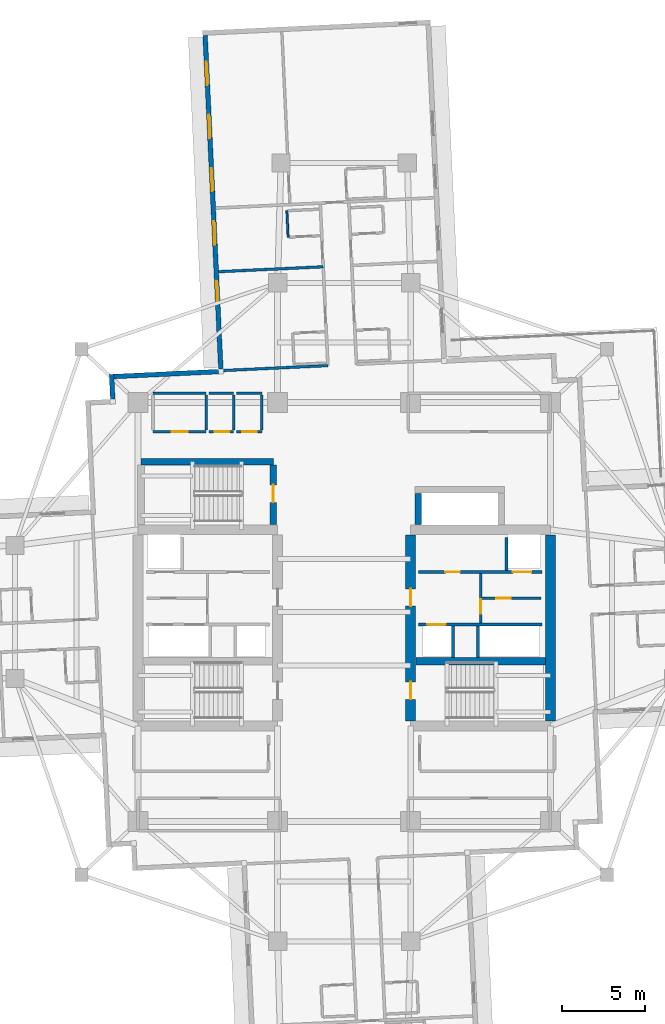
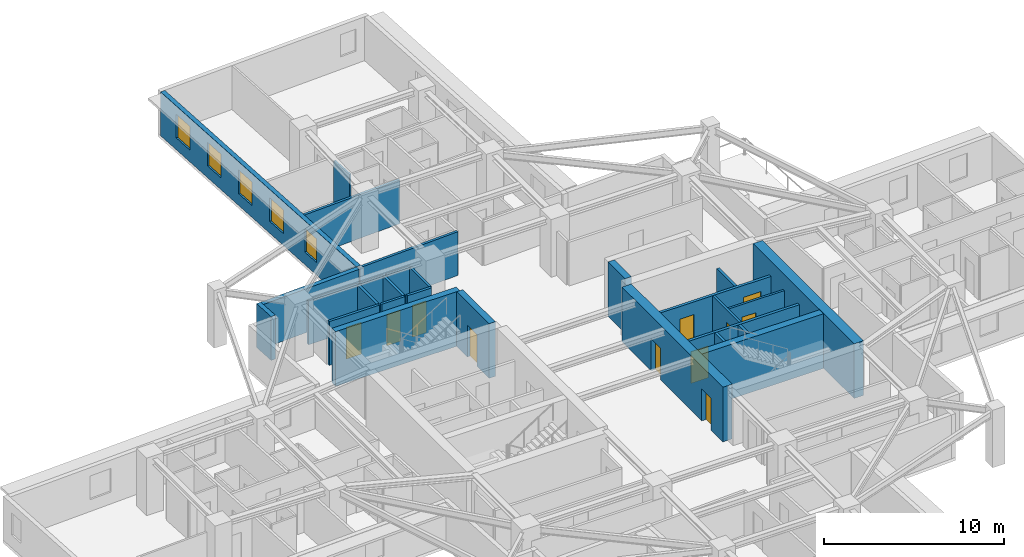
# One storey, part 6 of 14: 28 walls, 11 doors, 5 windows, 16 openings.
"""IFC4 building model written with IfcOpenShell, lengths in metres."""

from ifc_helpers import new_model, si_unit, direction, frame, frame_2d, origin, place, context, subcontext, project, spatial, rectangle, extrude, material, layer, layer_set, type_object, element, fill, save


model = new_model("IFC4")

# Units and contexts
model_context = context("Model", 3, precision=1e-05, world=origin(), true_north=direction((0.0, 1.0)))
body_context = subcontext(model_context, "Body", "Model", "MODEL_VIEW")
ifc_project = project(units=[si_unit("LENGTHUNIT", "METRE"), si_unit("AREAUNIT", "SQUARE_METRE"), si_unit("VOLUMEUNIT", "CUBIC_METRE"), si_unit("PLANEANGLEUNIT", "RADIAN"), si_unit("MASSUNIT", "GRAM", prefix="KILO")], contexts=[model_context])

# Site, building, storey
site_placement = place(None, origin())
site = spatial("IfcSite", under=ifc_project, at=site_placement, CompositionType="ELEMENT")
building_placement = place(site_placement, origin())
building = spatial("IfcBuilding", under=site, at=building_placement, Name="Qingluan Cross Belvedere", CompositionType="ELEMENT")
storey_placement = place(building_placement, frame((0.0, 0.0, 132.0)))
storey = spatial("IfcBuildingStorey", under=building, at=storey_placement, Name="L33", CompositionType="ELEMENT", Elevation=132.0)

# Walls
ifc_material_1 = material(Name="Concrete C50", Category="concrete")
ifc_layer_1 = layer(ifc_material_1, 0.449951171875, Name="CoreShearWall_450")
ifc_layer_set_1 = layer_set([ifc_layer_1], Name="Concrete C50")
wall_type_1 = type_object("IfcWallType", Name="CoreShearWall_450", PredefinedType="SHEAR", material=ifc_layer_set_1)
wall_1_placement = place(storey_placement, frame((4.304931640625, -2.9599609375, 0.0), z_axis=(0.0, 0.0, 1.0), x_axis=(1.0, 0.0, 0.0)))
element("IfcWall", 1, at=wall_1_placement, inside=storey, type_object=wall_type_1, Name="Split core E shear wall L33-M", PredefinedType="SHEAR", context=body_context, shape_type="SweptSolid", body=[
    extrude(rectangle(XDim=7.7900390625, YDim=0.449951171875, at=frame_2d((3.89501953125, 0.0))), origin(), (0.0, 0.0, 1.0), 3.699951171875),
])
wall_2_placement = place(storey_placement, frame((-12.219970703125, 9.0400390625, 0.0), z_axis=(0.0, 0.0, 1.0), x_axis=(1.0, 0.0, 0.0)))
element("IfcWall", 2, at=wall_2_placement, inside=storey, type_object=wall_type_1, Name="Stair ST3 structural wall N L33", PredefinedType="SHEAR", context=body_context, shape_type="SweptSolid", body=[
    extrude(rectangle(XDim=7.9599609375, YDim=0.39990234375, at=frame_2d((3.97998046875, 0.0))), origin(), (0.0, 0.0, 1.0), 3.699951171875),
])

# Wall, opening, door
wall_3_placement = place(storey_placement, frame((-4.260009765625, 5.2548828125, 0.0), z_axis=(0.0, 0.0, 1.0), x_axis=(0.0, 1.0, 0.0)))
wall_3 = element("IfcWall", 3, at=wall_3_placement, inside=storey, type_object=wall_type_1, Name="Stair ST3 structural wall E L33", PredefinedType="SHEAR", context=body_context, shape_type="SweptSolid", body=[
    extrude(rectangle(XDim=3.580078125, YDim=0.39990234375, at=frame_2d((1.7900390625, 0.0))), origin(), (0.0, 0.0, 1.0), 3.699951171875),
])
opening_1_placement = place(wall_3_placement, frame((1.344970703125, 0.0, 0.0)))
opening_1 = element("IfcOpeningElement", 4, at=opening_1_placement, cuts=wall_3, Name="Opening FD-B11", PredefinedType="OPENING", context=body_context, shape_type="SweptSolid", body=[
    extrude(rectangle(XDim=1.050048828125, YDim=2.14990234375, at=frame_2d((0.52490234375, 1.074951171875))), frame((0.0, 0.2099609375, 0.0), z_axis=(0.0, -1.0, 0.0), x_axis=(1.0, 0.0, 0.0)), (0.0, 0.0, 1.0), 0.419921875),
])
ifc_material_2 = material(Name="Steel Class B smoke-seal fire door", Category="steel")
door_type_1 = type_object("IfcDoorType", Name="StairLobbyFireDoor_FDB", OperationType="NOTDEFINED", PredefinedType="DOOR", material=ifc_material_2)
door_1_placement = place(opening_1_placement, origin())
door_1 = element("IfcDoor", 5, at=door_1_placement, inside=storey, type_object=door_type_1, Name="Smoke-proof stair ST3 fire door L33", OperationType="SINGLE_SWING_LEFT", OverallHeight=2.14990234375, OverallWidth=1.050048828125, PredefinedType="DOOR", context=body_context, shape_type="SweptSolid", body=[
    extrude(rectangle(XDim=1.050048828125, YDim=2.14990234375, at=frame_2d((0.52490234375, 1.074951171875))), frame((0.0, 0.02490234375, 0.0), z_axis=(0.0, -1.0, 0.0), x_axis=(1.0, 0.0, 0.0)), (0.0, 0.0, 1.0), 0.050048828125),
])
fill(opening_1, door_1)

# Wall
wall_4_placement = place(storey_placement, frame((4.449951171875, 5.2548828125, 0.0), z_axis=(0.0, 0.0, 1.0), x_axis=(0.0, 1.0, 0.0)))
element("IfcWall", 6, at=wall_4_placement, inside=storey, type_object=wall_type_1, Name="Express shuttle core wall L33-W", PredefinedType="SHEAR", context=body_context, shape_type="SweptSolid", body=[
    extrude(rectangle(XDim=1.885009765625, YDim=0.39990234375, at=frame_2d((0.9423828125, 0.0))), origin(), (0.0, 0.0, 1.0), 3.699951171875),
])

# Wall, openings, doors
ifc_material_3 = material(Name="Concrete C60", Category="concrete")
ifc_layer_2 = layer(ifc_material_3, 0.60009765625, Name="CoreShearWall_600")
ifc_layer_set_2 = layer_set([ifc_layer_2], Name="Concrete C60")
wall_type_2 = type_object("IfcWallType", Name="CoreShearWall_600", PredefinedType="SHEAR", material=ifc_layer_set_2)
wall_5_placement = place(storey_placement, frame((4.0, -6.544921875, 0.0), z_axis=(0.0, 0.0, 1.0), x_axis=(0.0, 1.0, 0.0)))
wall_5 = element("IfcWall", 7, at=wall_5_placement, inside=storey, type_object=wall_type_2, Name="Split core E shear wall L33-W", PredefinedType="SHEAR", context=body_context, shape_type="SweptSolid", body=[
    extrude(rectangle(XDim=11.18994140625, YDim=0.60009765625, at=frame_2d((5.594970703125, 0.0))), origin(), (0.0, 0.0, 1.0), 3.699951171875),
])
opening_2_placement = place(wall_5_placement, frame((1.294921875, 0.0, 0.0)))
opening_2 = element("IfcOpeningElement", 8, at=opening_2_placement, cuts=wall_5, Name="Opening FD-B11", PredefinedType="OPENING", context=body_context, shape_type="SweptSolid", body=[
    extrude(rectangle(XDim=1.050048828125, YDim=2.14990234375, at=frame_2d((0.52490234375, 1.074951171875))), frame((0.0, 0.31005859375, 0.0), z_axis=(0.0, -1.0, 0.0), x_axis=(1.0, 0.0, 0.0)), (0.0, 0.0, 1.0), 0.6201171875),
])
opening_3_placement = place(wall_5_placement, frame((6.89501953125, 0.0, 0.0)))
opening_3 = element("IfcOpeningElement", 9, at=opening_3_placement, cuts=wall_5, Name="Opening FD-B11", PredefinedType="OPENING", context=body_context, shape_type="SweptSolid", body=[
    extrude(rectangle(XDim=1.050048828125, YDim=2.14990234375, at=frame_2d((0.52490234375, 1.074951171875))), frame((0.0, 0.31005859375, 0.0), z_axis=(0.0, -1.0, 0.0), x_axis=(1.0, 0.0, 0.0)), (0.0, 0.0, 1.0), 0.6201171875),
])
door_2_placement = place(opening_2_placement, origin())
door_2 = element("IfcDoor", 10, at=door_2_placement, inside=storey, type_object=door_type_1, Name="Smoke-proof stair ST2 fire door L33", OperationType="SINGLE_SWING_RIGHT", OverallHeight=2.14990234375, OverallWidth=1.050048828125, PredefinedType="DOOR", context=body_context, shape_type="SweptSolid", body=[
    extrude(rectangle(XDim=1.050048828125, YDim=2.14990234375, at=frame_2d((0.52490234375, 1.074951171875))), frame((0.0, 0.02490234375, 0.0), z_axis=(0.0, -1.0, 0.0), x_axis=(1.0, 0.0, 0.0)), (0.0, 0.0, 1.0), 0.050048828125),
])
fill(opening_2, door_2)
door_3_placement = place(opening_3_placement, origin())
door_3 = element("IfcDoor", 11, at=door_3_placement, inside=storey, type_object=door_type_1, Name="Firefighting lobby East fire door L33", OperationType="SINGLE_SWING_RIGHT", OverallHeight=2.14990234375, OverallWidth=1.050048828125, PredefinedType="DOOR", context=body_context, shape_type="SweptSolid", body=[
    extrude(rectangle(XDim=1.050048828125, YDim=2.14990234375, at=frame_2d((0.52490234375, 1.074951171875))), frame((0.0, 0.02490234375, 0.0), z_axis=(0.0, -1.0, 0.0), x_axis=(1.0, 0.0, 0.0)), (0.0, 0.0, 1.0), 0.050048828125),
])
fill(opening_3, door_3)

# Wall
wall_6_placement = place(storey_placement, frame((12.39990234375, -6.544921875, 0.0), z_axis=(0.0, 0.0, 1.0), x_axis=(0.0, 1.0, 0.0)))
element("IfcWall", 12, at=wall_6_placement, inside=storey, type_object=wall_type_2, Name="Split core E shear wall L33-E", PredefinedType="SHEAR", context=body_context, shape_type="SweptSolid", body=[
    extrude(rectangle(XDim=11.18994140625, YDim=0.60009765625, at=frame_2d((5.594970703125, 0.0))), origin(), (0.0, 0.0, 1.0), 3.699951171875),
])

# Wall, opening, door
ifc_material_4 = material(Name="Gypsum plasterboard on steel stud acoustic partition", Category="steel")
ifc_layer_3 = layer(ifc_material_4, 0.159912109375, Name="CorridorPartition_160")
ifc_layer_set_3 = layer_set([ifc_layer_3], Name="Gypsum plasterboard on steel stud acoustic partition")
wall_type_3 = type_object("IfcWallType", Name="CorridorPartition_160", PredefinedType="PARTITIONING", material=ifc_layer_set_3)
wall_7_placement = place(storey_placement, frame((8.298095703125, 0.830078125, 0.0), z_axis=(0.0, 0.0, 1.0), x_axis=(1.0, 0.0, 0.0)))
wall_7 = element("IfcWall", 13, at=wall_7_placement, inside=storey, type_object=wall_type_3, Name="Partition L33:e", PredefinedType="PARTITIONING", context=body_context, shape_type="SweptSolid", body=[
    extrude(rectangle(XDim=3.552001953125, YDim=0.139892578125, at=frame_2d((1.77587890625, 0.0))), origin(), (0.0, 0.0, 1.0), 2.9599609375),
])
opening_4_placement = place(wall_7_placement, frame((0.85009765625, 0.0, 0.0)))
opening_4 = element("IfcOpeningElement", 14, at=opening_4_placement, cuts=wall_7, Name="Opening FD-B10", PredefinedType="OPENING", context=body_context, shape_type="SweptSolid", body=[
    extrude(rectangle(XDim=0.8798828125, YDim=2.10009765625, at=frame_2d((0.43994140625, 1.050048828125))), frame((0.0, 0.079833984375, 0.0), z_axis=(0.0, -1.0, 0.0), x_axis=(1.0, 0.0, 0.0)), (0.0, 0.0, 1.0), 0.159912109375),
])
ifc_material_5 = material(Name="Steel Class B service fire door", Category="steel")
door_type_2 = type_object("IfcDoorType", Name="RiserServiceFireDoor_FDB", OperationType="NOTDEFINED", PredefinedType="DOOR", material=ifc_material_5)
door_4_placement = place(opening_4_placement, origin())
door_4 = element("IfcDoor", 15, at=door_4_placement, inside=storey, type_object=door_type_2, Name="Service closet inner door L33", OperationType="SINGLE_SWING_LEFT", OverallHeight=2.10009765625, OverallWidth=0.8798828125, PredefinedType="DOOR", context=body_context, shape_type="SweptSolid", body=[
    extrude(rectangle(XDim=0.8798828125, YDim=2.10009765625, at=frame_2d((0.43994140625, 1.050048828125))), frame((0.0, 0.02490234375, 0.0), z_axis=(0.0, -1.0, 0.0), x_axis=(1.0, 0.0, 0.0)), (0.0, 0.0, 1.0), 0.050048828125),
])
fill(opening_4, door_4)

wall_8_placement = place(storey_placement, frame((-11.5, 10.85009765625, 0.0), z_axis=(0.0, 0.0, 1.0), x_axis=(1.0, 0.0, 0.0)))
wall_8 = element("IfcWall", 16, at=wall_8_placement, inside=storey, type_object=wall_type_3, Name="Partition L33:q_nw_occ:S", PredefinedType="PARTITIONING", context=body_context, shape_type="SweptSolid", body=[
    extrude(rectangle(XDim=3.199951171875, YDim=0.159912109375, at=frame_2d((1.60009765625, 0.0))), origin(), (0.0, 0.0, 1.0), 2.9599609375),
])
opening_5_placement = place(wall_8_placement, frame((1.1201171875, 0.0, 0.0)))
opening_5 = element("IfcOpeningElement", 17, at=opening_5_placement, cuts=wall_8, Name="Opening GD-10", PredefinedType="OPENING", context=body_context, shape_type="SweptSolid", body=[
    extrude(rectangle(XDim=0.9599609375, YDim=2.14990234375, at=frame_2d((0.47998046875, 1.074951171875))), frame((0.0, 0.08984375, 0.0), z_axis=(0.0, -1.0, 0.0), x_axis=(1.0, 0.0, 0.0)), (0.0, 0.0, 1.0), 0.179931640625),
])
ifc_material_6 = material(Name="Timber oak fire-rated acoustic guestroom door", Category="wood")
door_type_3 = type_object("IfcDoorType", Name="GuestEntryDoor_FD60", OperationType="NOTDEFINED", PredefinedType="DOOR", material=ifc_material_6)
door_5_placement = place(opening_5_placement, origin())
door_5 = element("IfcDoor", 18, at=door_5_placement, inside=storey, type_object=door_type_3, Name="Northwest corner reading salon L33 door", OperationType="SINGLE_SWING_RIGHT", OverallHeight=2.14990234375, OverallWidth=0.9599609375, PredefinedType="DOOR", context=body_context, shape_type="SweptSolid", body=[
    extrude(rectangle(XDim=0.9599609375, YDim=2.14990234375, at=frame_2d((0.47998046875, 1.074951171875))), frame((0.0, 0.02490234375, 0.0), z_axis=(0.0, -1.0, 0.0), x_axis=(1.0, 0.0, 0.0)), (0.0, 0.0, 1.0), 0.050048828125),
])
fill(opening_5, door_5)

# Walls
wall_9_placement = place(storey_placement, frame((-11.5, 13.14990234375, 0.0), z_axis=(0.0, 0.0, 1.0), x_axis=(1.0, 0.0, 0.0)))
element("IfcWall", 19, at=wall_9_placement, inside=storey, type_object=wall_type_3, Name="Partition L33:q_nw_occ:N", PredefinedType="PARTITIONING", context=body_context, shape_type="SweptSolid", body=[
    extrude(rectangle(XDim=3.199951171875, YDim=0.159912109375, at=frame_2d((1.60009765625, 0.0))), origin(), (0.0, 0.0, 1.0), 2.9599609375),
])
wall_10_placement = place(storey_placement, frame((-8.300048828125, 10.93505859375, 0.0), z_axis=(0.0, 0.0, 1.0), x_axis=(0.0, 1.0, 0.0)))
element("IfcWall", 20, at=wall_10_placement, inside=storey, type_object=wall_type_3, Name="Partition L33:q_nw_occ:E", PredefinedType="PARTITIONING", context=body_context, shape_type="SweptSolid", body=[
    extrude(rectangle(XDim=2.1298828125, YDim=0.159912109375, at=frame_2d((1.06494140625, 0.0))), origin(), (0.0, 0.0, 1.0), 2.9599609375),
])

# Wall, opening, door
wall_11_placement = place(storey_placement, frame((-8.139892578125, 10.85009765625, 0.0), z_axis=(0.0, 0.0, 1.0), x_axis=(1.0, 0.0, 0.0)))
wall_11 = element("IfcWall", 21, at=wall_11_placement, inside=storey, type_object=wall_type_3, Name="Partition L33:hk_linen:S", PredefinedType="PARTITIONING", context=body_context, shape_type="SweptSolid", body=[
    extrude(rectangle(XDim=1.489990234375, YDim=0.159912109375, at=frame_2d((0.7451171875, 0.0))), origin(), (0.0, 0.0, 1.0), 2.9599609375),
])
opening_6_placement = place(wall_11_placement, frame((0.35009765625, 0.0, 0.0)))
opening_6 = element("IfcOpeningElement", 22, at=opening_6_placement, cuts=wall_11, Name="Opening FD-B10", PredefinedType="OPENING", context=body_context, shape_type="SweptSolid", body=[
    extrude(rectangle(XDim=0.8798828125, YDim=2.10009765625, at=frame_2d((0.43994140625, 1.050048828125))), frame((0.0, 0.08984375, 0.0), z_axis=(0.0, -1.0, 0.0), x_axis=(1.0, 0.0, 0.0)), (0.0, 0.0, 1.0), 0.179931640625),
])
door_6_placement = place(opening_6_placement, origin())
door_6 = element("IfcDoor", 23, at=door_6_placement, inside=storey, type_object=door_type_2, Name="Housekeeping and linen store L33 door", OperationType="SINGLE_SWING_LEFT", OverallHeight=2.10009765625, OverallWidth=0.8798828125, PredefinedType="DOOR", context=body_context, shape_type="SweptSolid", body=[
    extrude(rectangle(XDim=0.8798828125, YDim=2.10009765625, at=frame_2d((0.43994140625, 1.050048828125))), frame((0.0, 0.02490234375, 0.0), z_axis=(0.0, -1.0, 0.0), x_axis=(1.0, 0.0, 0.0)), (0.0, 0.0, 1.0), 0.050048828125),
])
fill(opening_6, door_6)

# Walls
wall_12_placement = place(storey_placement, frame((-8.139892578125, 13.14990234375, 0.0), z_axis=(0.0, 0.0, 1.0), x_axis=(1.0, 0.0, 0.0)))
element("IfcWall", 24, at=wall_12_placement, inside=storey, type_object=wall_type_3, Name="Partition L33:hk_linen:N", PredefinedType="PARTITIONING", context=body_context, shape_type="SweptSolid", body=[
    extrude(rectangle(XDim=1.489990234375, YDim=0.159912109375, at=frame_2d((0.7451171875, 0.0))), origin(), (0.0, 0.0, 1.0), 2.9599609375),
])
wall_13_placement = place(storey_placement, frame((-6.64990234375, 10.93505859375, 0.0), z_axis=(0.0, 0.0, 1.0), x_axis=(0.0, 1.0, 0.0)))
element("IfcWall", 25, at=wall_13_placement, inside=storey, type_object=wall_type_3, Name="Partition L33:hk_linen:E", PredefinedType="PARTITIONING", context=body_context, shape_type="SweptSolid", body=[
    extrude(rectangle(XDim=2.1298828125, YDim=0.159912109375, at=frame_2d((1.06494140625, 0.0))), origin(), (0.0, 0.0, 1.0), 2.9599609375),
])

# Wall, opening, door
wall_14_placement = place(storey_placement, frame((-6.489990234375, 10.85009765625, 0.0), z_axis=(0.0, 0.0, 1.0), x_axis=(1.0, 0.0, 0.0)))
wall_14 = element("IfcWall", 26, at=wall_14_placement, inside=storey, type_object=wall_type_3, Name="Partition L33:floor_acc_wc:S", PredefinedType="PARTITIONING", context=body_context, shape_type="SweptSolid", body=[
    extrude(rectangle(XDim=1.5400390625, YDim=0.159912109375, at=frame_2d((0.77001953125, 0.0))), origin(), (0.0, 0.0, 1.0), 2.9599609375),
])
opening_7_placement = place(wall_14_placement, frame((0.35009765625, 0.0, 0.0)))
opening_7 = element("IfcOpeningElement", 27, at=opening_7_placement, cuts=wall_14, Name="Opening BD-08", PredefinedType="OPENING", context=body_context, shape_type="SweptSolid", body=[
    extrude(rectangle(XDim=0.8798828125, YDim=2.14990234375, at=frame_2d((0.43994140625, 1.074951171875))), frame((0.0, 0.08984375, 0.0), z_axis=(0.0, -1.0, 0.0), x_axis=(1.0, 0.0, 0.0)), (0.0, 0.0, 1.0), 0.179931640625),
])
ifc_material_7 = material(Name="Moisture-sealed timber accessible WC door", Category="wood")
door_type_4 = type_object("IfcDoorType", Name="AccessibleWCDoor_880", OperationType="NOTDEFINED", PredefinedType="DOOR", material=ifc_material_7)
door_7_placement = place(opening_7_placement, origin())
door_7 = element("IfcDoor", 28, at=door_7_placement, inside=storey, type_object=door_type_4, Name="Accessible guest washroom L33 door", OperationType="SINGLE_SWING_RIGHT", OverallHeight=2.14990234375, OverallWidth=0.8798828125, PredefinedType="DOOR", context=body_context, shape_type="SweptSolid", body=[
    extrude(rectangle(XDim=0.8798828125, YDim=2.14990234375, at=frame_2d((0.43994140625, 1.074951171875))), frame((0.0, 0.02490234375, 0.0), z_axis=(0.0, -1.0, 0.0), x_axis=(1.0, 0.0, 0.0)), (0.0, 0.0, 1.0), 0.050048828125),
])
fill(opening_7, door_7)

# Walls
wall_15_placement = place(storey_placement, frame((-6.489990234375, 13.14990234375, 0.0), z_axis=(0.0, 0.0, 1.0), x_axis=(1.0, 0.0, 0.0)))
element("IfcWall", 29, at=wall_15_placement, inside=storey, type_object=wall_type_3, Name="Partition L33:floor_acc_wc:N", PredefinedType="PARTITIONING", context=body_context, shape_type="SweptSolid", body=[
    extrude(rectangle(XDim=1.5400390625, YDim=0.159912109375, at=frame_2d((0.77001953125, 0.0))), origin(), (0.0, 0.0, 1.0), 2.9599609375),
])
wall_16_placement = place(storey_placement, frame((-4.949951171875, 10.93505859375, 0.0), z_axis=(0.0, 0.0, 1.0), x_axis=(0.0, 1.0, 0.0)))
element("IfcWall", 30, at=wall_16_placement, inside=storey, type_object=wall_type_3, Name="Partition L33:floor_acc_wc:E", PredefinedType="PARTITIONING", context=body_context, shape_type="SweptSolid", body=[
    extrude(rectangle(XDim=2.1298828125, YDim=0.159912109375, at=frame_2d((1.06494140625, 0.0))), origin(), (0.0, 0.0, 1.0), 2.9599609375),
])
wall_17_placement = place(storey_placement, frame((-0.979248046875, 14.8203125, 0.0), z_axis=(0.0, 0.0, 1.0), x_axis=(-0.998890922349, -0.047084235666, 0.0)))
element("IfcWall", 31, at=wall_17_placement, inside=storey, type_object=wall_type_3, Name="Partition L33:N:s1", PredefinedType="PARTITIONING", context=body_context, shape_type="SweptSolid", body=[
    extrude(rectangle(XDim=6.43994140625, YDim=0.159912109375, at=frame_2d((3.219970703125, 0.0))), origin(), (0.0, 0.0, 1.0), 2.9599609375),
])
wall_18_placement = place(storey_placement, frame((-1.259521484375, 20.763671875, 0.0), z_axis=(0.0, 0.0, 1.0), x_axis=(-0.998889891508, -0.047106099844, 0.0)))
element("IfcWall", 32, at=wall_18_placement, inside=storey, type_object=wall_type_3, Name="Partition L33:N:d1_0", PredefinedType="PARTITIONING", context=body_context, shape_type="SweptSolid", body=[
    extrude(rectangle(XDim=6.2919921875, YDim=0.159912109375, at=frame_2d((3.14599609375, 0.0))), origin(), (0.0, 0.0, 1.0), 2.9599609375),
])
ifc_material_8 = material(Name="Moisture-resistant gypsum board lining")
ifc_layer_4 = layer(ifc_material_8, 0.1201171875, Name="EnsuiteWetPartition_120")
ifc_layer_set_4 = layer_set([ifc_layer_4], Name="Moisture-resistant gypsum board lining")
wall_type_4 = type_object("IfcWallType", Name="EnsuiteWetPartition_120", PredefinedType="PARTITIONING", material=ifc_layer_set_4)
wall_19_placement = place(storey_placement, frame((-3.370361328125, 22.536376953125, 0.0), z_axis=(0.0, 0.0, 1.0), x_axis=(-0.047151895633, 0.998887730798, 0.0)))
element("IfcWall", 33, at=wall_19_placement, inside=storey, type_object=wall_type_4, Name="Partition L33:N:bc1_1", PredefinedType="PARTITIONING", context=body_context, shape_type="SweptSolid", body=[
    extrude(rectangle(XDim=1.599853515625, YDim=0.1201171875, at=frame_2d((0.7998046875, 0.0))), origin(), (0.0, 0.0, 1.0), 2.9599609375),
])

# Wall, openings, windows
ifc_material_9 = material(Name="Precast concrete C45", Category="concrete")
ifc_layer_5 = layer(ifc_material_9, 0.280029296875, Name="PrecastFacadeWall_280")
ifc_layer_set_5 = layer_set([ifc_layer_5], Name="Precast concrete C45")
wall_type_5 = type_object("IfcWallType", Name="PrecastFacadeWall_280", PredefinedType="STANDARD", material=ifc_layer_set_5)
wall_20_placement = place(storey_placement, frame((-8.363037109375, 34.6845703125, 0.0), z_axis=(0.0, 0.0, 1.0), x_axis=(0.047103473814, -0.998890015344, 0.0)))
wall_20 = element("IfcWall", 34, at=wall_20_placement, inside=storey, type_object=wall_type_5, Name="Facade wall L33-NB", PredefinedType="STANDARD", context=body_context, shape_type="SweptSolid", body=[
    extrude(rectangle(XDim=20.099853515625, YDim=0.280029296875, at=frame_2d((10.0498046875, 0.0))), origin(), (0.0, 0.0, 1.0), 2.969970703125),
])
opening_8_placement = place(wall_20_placement, frame((1.60009765625, 0.0, 0.800048828125)))
opening_8 = element("IfcOpeningElement", 35, at=opening_8_placement, cuts=wall_20, Name="Opening W-01", PredefinedType="OPENING", context=body_context, shape_type="SweptSolid", body=[
    extrude(rectangle(XDim=1.39990234375, YDim=1.60009765625, at=frame_2d((0.699951171875, 0.800048828125))), frame((0.0, 0.14990234375, 0.0), z_axis=(0.0, -1.0, 0.0), x_axis=(1.0, 0.0, 0.0)), (0.0, 0.0, 1.0), 0.300048828125),
])
opening_9_placement = place(wall_20_placement, frame((4.800048828125, 0.0, 0.800048828125)))
opening_9 = element("IfcOpeningElement", 36, at=opening_9_placement, cuts=wall_20, Name="Opening W-01", PredefinedType="OPENING", context=body_context, shape_type="SweptSolid", body=[
    extrude(rectangle(XDim=1.39990234375, YDim=1.60009765625, at=frame_2d((0.699951171875, 0.800048828125))), frame((0.0, 0.14990234375, 0.0), z_axis=(0.0, -1.0, 0.0), x_axis=(1.0, 0.0, 0.0)), (0.0, 0.0, 1.0), 0.300048828125),
])
opening_10_placement = place(wall_20_placement, frame((8.0, 0.0, 0.800048828125)))
opening_10 = element("IfcOpeningElement", 37, at=opening_10_placement, cuts=wall_20, Name="Opening W-01", PredefinedType="OPENING", context=body_context, shape_type="SweptSolid", body=[
    extrude(rectangle(XDim=1.39990234375, YDim=1.60009765625, at=frame_2d((0.699951171875, 0.800048828125))), frame((0.0, 0.14990234375, 0.0), z_axis=(0.0, -1.0, 0.0), x_axis=(1.0, 0.0, 0.0)), (0.0, 0.0, 1.0), 0.300048828125),
])
opening_11_placement = place(wall_20_placement, frame((11.199951171875, 0.0, 0.800048828125)))
opening_11 = element("IfcOpeningElement", 38, at=opening_11_placement, cuts=wall_20, Name="Opening W-01", PredefinedType="OPENING", context=body_context, shape_type="SweptSolid", body=[
    extrude(rectangle(XDim=1.39990234375, YDim=1.60009765625, at=frame_2d((0.699951171875, 0.800048828125))), frame((0.0, 0.14990234375, 0.0), z_axis=(0.0, -1.0, 0.0), x_axis=(1.0, 0.0, 0.0)), (0.0, 0.0, 1.0), 0.300048828125),
])
opening_12_placement = place(wall_20_placement, frame((14.799072265625, 0.0, 0.85009765625)))
opening_12 = element("IfcOpeningElement", 39, at=opening_12_placement, cuts=wall_20, Name="Opening W-02", PredefinedType="OPENING", context=body_context, shape_type="SweptSolid", body=[
    extrude(rectangle(XDim=1.199951171875, YDim=1.60009765625, at=frame_2d((0.60009765625, 0.800048828125))), frame((0.0, 0.14990234375, 0.0), z_axis=(0.0, -1.0, 0.0), x_axis=(1.0, 0.0, 0.0)), (0.0, 0.0, 1.0), 0.300048828125),
])
ifc_material_10 = material(Name="Thermally broken triple Low-E glass in aluminium frame", Category="aluminium")
window_type_1 = type_object("IfcWindowType", Name="TriRibbonWin_1200x1600", PartitioningType="SINGLE_PANEL", PredefinedType="WINDOW", material=ifc_material_10)
window_1_placement = place(opening_12_placement, origin())
window_1 = element("IfcWindow", 40, at=window_1_placement, inside=storey, type_object=window_type_1, Name="Corner hotel suite 3313 daylight window", OverallHeight=1.60009765625, OverallWidth=1.199951171875, PartitioningType="SINGLE_PANEL", PredefinedType="WINDOW", context=body_context, shape_type="SweptSolid", body=[
    extrude(rectangle(XDim=1.199951171875, YDim=1.60009765625, at=frame_2d((0.60009765625, 0.800048828125))), frame((0.0, 0.030029296875, 0.0), z_axis=(0.0, -1.0, 0.0), x_axis=(1.0, 0.0, 0.0)), (0.0, 0.0, 1.0), 0.06005859375),
])
fill(opening_12, window_1)
ifc_material_11 = material(Name="Thermally broken triple Low-E glass in aluminium frame", Category="aluminium")
window_type_2 = type_object("IfcWindowType", Name="TriRibbonWin_1400x1600", PartitioningType="SINGLE_PANEL", PredefinedType="WINDOW", material=ifc_material_11)
window_2_placement = place(opening_8_placement, origin())
window_2 = element("IfcWindow", 41, at=window_2_placement, inside=storey, type_object=window_type_2, Name="Ribbon window L33-NB-1", OverallHeight=1.60009765625, OverallWidth=1.39990234375, PartitioningType="SINGLE_PANEL", PredefinedType="WINDOW", context=body_context, shape_type="SweptSolid", body=[
    extrude(rectangle(XDim=1.39990234375, YDim=1.60009765625, at=frame_2d((0.699951171875, 0.800048828125))), frame((0.0, 0.030029296875, 0.0), z_axis=(0.0, -1.0, 0.0), x_axis=(1.0, 0.0, 0.0)), (0.0, 0.0, 1.0), 0.06005859375),
])
fill(opening_8, window_2)
window_3_placement = place(opening_9_placement, origin())
window_3 = element("IfcWindow", 42, at=window_3_placement, inside=storey, type_object=window_type_2, Name="Ribbon window L33-NB-2", OverallHeight=1.60009765625, OverallWidth=1.39990234375, PartitioningType="SINGLE_PANEL", PredefinedType="WINDOW", context=body_context, shape_type="SweptSolid", body=[
    extrude(rectangle(XDim=1.39990234375, YDim=1.60009765625, at=frame_2d((0.699951171875, 0.800048828125))), frame((0.0, 0.030029296875, 0.0), z_axis=(0.0, -1.0, 0.0), x_axis=(1.0, 0.0, 0.0)), (0.0, 0.0, 1.0), 0.06005859375),
])
fill(opening_9, window_3)
window_4_placement = place(opening_10_placement, origin())
window_4 = element("IfcWindow", 43, at=window_4_placement, inside=storey, type_object=window_type_2, Name="Ribbon window L33-NB-3", OverallHeight=1.60009765625, OverallWidth=1.39990234375, PartitioningType="SINGLE_PANEL", PredefinedType="WINDOW", context=body_context, shape_type="SweptSolid", body=[
    extrude(rectangle(XDim=1.39990234375, YDim=1.60009765625, at=frame_2d((0.699951171875, 0.800048828125))), frame((0.0, 0.030029296875, 0.0), z_axis=(0.0, -1.0, 0.0), x_axis=(1.0, 0.0, 0.0)), (0.0, 0.0, 1.0), 0.06005859375),
])
fill(opening_10, window_4)
window_5_placement = place(opening_11_placement, origin())
window_5 = element("IfcWindow", 44, at=window_5_placement, inside=storey, type_object=window_type_2, Name="Ribbon window L33-NB-4", OverallHeight=1.60009765625, OverallWidth=1.39990234375, PartitioningType="SINGLE_PANEL", PredefinedType="WINDOW", context=body_context, shape_type="SweptSolid", body=[
    extrude(rectangle(XDim=1.39990234375, YDim=1.60009765625, at=frame_2d((0.699951171875, 0.800048828125))), frame((0.0, 0.030029296875, 0.0), z_axis=(0.0, -1.0, 0.0), x_axis=(1.0, 0.0, 0.0)), (0.0, 0.0, 1.0), 0.06005859375),
])
fill(opening_11, window_5)

# Walls
wall_21_placement = place(storey_placement, frame((-13.918212890625, 12.798583984375, 0.0), z_axis=(0.0, 0.0, 1.0), x_axis=(-0.047201688113, 0.99888537913, 0.0)))
element("IfcWall", 45, at=wall_21_placement, inside=storey, type_object=wall_type_5, Name="Corner wall L33-NW3", PredefinedType="STANDARD", context=body_context, shape_type="SweptSolid", body=[
    extrude(rectangle(XDim=1.5, YDim=0.280029296875, at=frame_2d((0.75, 0.0))), origin(), (0.0, 0.0, 1.0), 2.969970703125),
])
wall_22_placement = place(storey_placement, frame((-13.842529296875, 14.16357421875, 0.0), z_axis=(0.0, 0.0, 1.0), x_axis=(0.998889082162, 0.047123258997, 0.0)))
element("IfcWall", 46, at=wall_22_placement, inside=storey, type_object=wall_type_5, Name="Corner wall L33-NW4", PredefinedType="STANDARD", context=body_context, shape_type="SweptSolid", body=[
    extrude(rectangle(XDim=6.300048828125, YDim=0.280029296875, at=frame_2d((3.14990234375, 0.0))), origin(), (0.0, 0.0, 1.0), 2.969970703125),
])

# Wall, openings, doors
ifc_material_12 = material(Name="Concrete C40", Category="concrete")
ifc_layer_6 = layer(ifc_material_12, 0.219970703125, Name="ShaftEnclosureWall_250")
ifc_layer_set_6 = layer_set([ifc_layer_6], Name="Concrete C40")
wall_type_6 = type_object("IfcWallType", Name="ShaftEnclosureWall_250", PredefinedType="SOLIDWALL", material=ifc_layer_set_6)
wall_23_placement = place(storey_placement, frame((4.47998046875, 2.409912109375, 0.0), z_axis=(0.0, 0.0, 1.0), x_axis=(1.0, 0.0, 0.0)))
wall_23 = element("IfcWall", 47, at=wall_23_placement, inside=storey, type_object=wall_type_6, Name="Core-E north hoistway wall L33", PredefinedType="SOLIDWALL", context=body_context, shape_type="SweptSolid", body=[
    extrude(rectangle(XDim=7.419921875, YDim=0.179931640625, at=frame_2d((3.7099609375, 0.0))), origin(), (0.0, 0.0, 1.0), 2.9599609375),
])
opening_13_placement = place(wall_23_placement, frame((5.669921875, 0.0, 0.0)))
opening_13 = element("IfcOpeningElement", 48, at=opening_13_placement, cuts=wall_23, Name="Opening LD-11", PredefinedType="OPENING", context=body_context, shape_type="SweptSolid", body=[
    extrude(rectangle(XDim=1.10009765625, YDim=2.14990234375, at=frame_2d((0.550048828125, 1.074951171875))), frame((0.0, 0.099853515625, 0.0), z_axis=(0.0, -1.0, 0.0), x_axis=(1.0, 0.0, 0.0)), (0.0, 0.0, 1.0), 0.199951171875),
])
opening_14_placement = place(wall_23_placement, frame((1.60009765625, 0.0, 0.0)))
opening_14 = element("IfcOpeningElement", 49, at=opening_14_placement, cuts=wall_23, Name="Opening FD-B10", PredefinedType="OPENING", context=body_context, shape_type="SweptSolid", body=[
    extrude(rectangle(XDim=0.8798828125, YDim=2.10009765625, at=frame_2d((0.43994140625, 1.050048828125))), frame((0.0, 0.099853515625, 0.0), z_axis=(0.0, -1.0, 0.0), x_axis=(1.0, 0.0, 0.0)), (0.0, 0.0, 1.0), 0.199951171875),
])
ifc_material_13 = material(Name="Brushed stainless steel centre-opening lift landing door", Category="steel")
door_type_5 = type_object("IfcDoorType", Name="LiftLandingSlidingDoor_1100", OperationType="DOUBLE_DOOR_SLIDING", PredefinedType="DOOR", material=ifc_material_13)
door_8_placement = place(opening_13_placement, origin())
door_8 = element("IfcDoor", 50, at=door_8_placement, inside=storey, type_object=door_type_5, Name="Lift landing sliding door FL2 L33", OperationType="DOUBLE_DOOR_SLIDING", OverallHeight=2.14990234375, OverallWidth=1.10009765625, PredefinedType="DOOR", context=body_context, shape_type="SweptSolid", body=[
    extrude(rectangle(XDim=1.10009765625, YDim=2.14990234375, at=frame_2d((0.550048828125, 1.074951171875))), frame((0.0, 0.02490234375, 0.0), z_axis=(0.0, -1.0, 0.0), x_axis=(1.0, 0.0, 0.0)), (0.0, 0.0, 1.0), 0.050048828125),
])
fill(opening_13, door_8)
door_9_placement = place(opening_14_placement, origin())
door_9 = element("IfcDoor", 51, at=door_9_placement, inside=storey, type_object=door_type_2, Name="Pantry room door E L33", OperationType="SINGLE_SWING_LEFT", OverallHeight=2.10009765625, OverallWidth=0.8798828125, PredefinedType="DOOR", context=body_context, shape_type="SweptSolid", body=[
    extrude(rectangle(XDim=0.8798828125, YDim=2.10009765625, at=frame_2d((0.43994140625, 1.050048828125))), frame((0.0, 0.02490234375, 0.0), z_axis=(0.0, -1.0, 0.0), x_axis=(1.0, 0.0, 0.0)), (0.0, 0.0, 1.0), 0.050048828125),
])
fill(opening_14, door_9)

# Wall, opening, door
wall_24_placement = place(storey_placement, frame((4.47998046875, -0.75, 0.0), z_axis=(0.0, 0.0, 1.0), x_axis=(1.0, 0.0, 0.0)))
wall_24 = element("IfcWall", 52, at=wall_24_placement, inside=storey, type_object=wall_type_6, Name="Core-E mid hoistway wall L33", PredefinedType="SOLIDWALL", context=body_context, shape_type="SweptSolid", body=[
    extrude(rectangle(XDim=7.419921875, YDim=0.179931640625, at=frame_2d((3.7099609375, 0.0))), origin(), (0.0, 0.0, 1.0), 2.9599609375),
])
opening_15_placement = place(wall_24_placement, frame((0.52001953125, 0.0, 0.0)))
opening_15 = element("IfcOpeningElement", 53, at=opening_15_placement, cuts=wall_24, Name="Opening LD-11", PredefinedType="OPENING", context=body_context, shape_type="SweptSolid", body=[
    extrude(rectangle(XDim=1.10009765625, YDim=2.14990234375, at=frame_2d((0.550048828125, 1.074951171875))), frame((0.0, 0.099853515625, 0.0), z_axis=(0.0, -1.0, 0.0), x_axis=(1.0, 0.0, 0.0)), (0.0, 0.0, 1.0), 0.199951171875),
])
door_10_placement = place(opening_15_placement, origin())
door_10 = element("IfcDoor", 54, at=door_10_placement, inside=storey, type_object=door_type_5, Name="Lift landing sliding door LP7 L33", OperationType="DOUBLE_DOOR_SLIDING", OverallHeight=2.14990234375, OverallWidth=1.10009765625, PredefinedType="DOOR", context=body_context, shape_type="SweptSolid", body=[
    extrude(rectangle(XDim=1.10009765625, YDim=2.14990234375, at=frame_2d((0.550048828125, 1.074951171875))), frame((0.0, 0.02490234375, 0.0), z_axis=(0.0, -1.0, 0.0), x_axis=(1.0, 0.0, 0.0)), (0.0, 0.0, 1.0), 0.050048828125),
])
fill(opening_15, door_10)

# Walls
wall_25_placement = place(storey_placement, frame((9.760009765625, 2.5, 0.0), z_axis=(0.0, 0.0, 1.0), x_axis=(0.0, 1.0, 0.0)))
element("IfcWall", 55, at=wall_25_placement, inside=storey, type_object=wall_type_6, Name="Hoistway enclosure divider FL2W L33", PredefinedType="SOLIDWALL", context=body_context, shape_type="SweptSolid", body=[
    extrude(rectangle(XDim=1.989990234375, YDim=0.179931640625, at=frame_2d((0.9951171875, 0.0))), origin(), (0.0, 0.0, 1.0), 2.9599609375),
])
for number, where, z_axis, x_axis, name in (
    (56, (6.5400390625, -2.72998046875, 0.0), (0.0, 0.0, 1.0), (0.0, 1.0, 0.0), "Hoistway enclosure divider LP7E L33"),
    (57, (8.06005859375, -2.72998046875, 0.0), (0.0, 0.0, 1.0), (0.0, 1.0, 0.0), "Hoistway enclosure divider LP9W L33"),
):
    element("IfcWall", number, at=place(storey_placement, frame(where, z_axis=z_axis, x_axis=x_axis)), inside=storey, type_object=wall_type_6, Name=name, PredefinedType="SOLIDWALL", context=body_context, shape_type="SweptSolid", body=[
        extrude(rectangle(XDim=1.889892578125, YDim=0.179931640625, at=frame_2d((0.94482421875, 0.0))), origin(), (0.0, 0.0, 1.0), 2.9599609375),
    ])

# Wall, opening, door
wall_26_placement = place(storey_placement, frame((8.219970703125, -0.64990234375, 0.0), z_axis=(0.0, 0.0, 1.0), x_axis=(0.0, 1.0, 0.0)))
wall_26 = element("IfcWall", 58, at=wall_26_placement, inside=storey, type_object=wall_type_6, Name="Core-E service corridor wall L33", PredefinedType="SOLIDWALL", context=body_context, shape_type="SweptSolid", body=[
    extrude(rectangle(XDim=2.9599609375, YDim=0.139892578125, at=frame_2d((1.47998046875, 0.0))), origin(), (0.0, 0.0, 1.0), 2.9599609375),
])
opening_16_placement = place(wall_26_placement, frame((0.550048828125, 0.0, 0.0)))
opening_16 = element("IfcOpeningElement", 59, at=opening_16_placement, cuts=wall_26, Name="Opening FD-B10", PredefinedType="OPENING", context=body_context, shape_type="SweptSolid", body=[
    extrude(rectangle(XDim=0.8798828125, YDim=2.10009765625, at=frame_2d((0.43994140625, 1.050048828125))), frame((0.0, 0.079833984375, 0.0), z_axis=(0.0, -1.0, 0.0), x_axis=(1.0, 0.0, 0.0)), (0.0, 0.0, 1.0), 0.159912109375),
])
door_11_placement = place(opening_16_placement, origin())
door_11 = element("IfcDoor", 60, at=door_11_placement, inside=storey, type_object=door_type_2, Name="Core-E service room door L33", OperationType="SINGLE_SWING_LEFT", OverallHeight=2.10009765625, OverallWidth=0.8798828125, PredefinedType="DOOR", context=body_context, shape_type="SweptSolid", body=[
    extrude(rectangle(XDim=0.8798828125, YDim=2.10009765625, at=frame_2d((0.43994140625, 1.050048828125))), frame((0.0, 0.02490234375, 0.0), z_axis=(0.0, -1.0, 0.0), x_axis=(1.0, 0.0, 0.0)), (0.0, 0.0, 1.0), 0.050048828125),
])
fill(opening_16, door_11)

save(model, "model.ifc")
